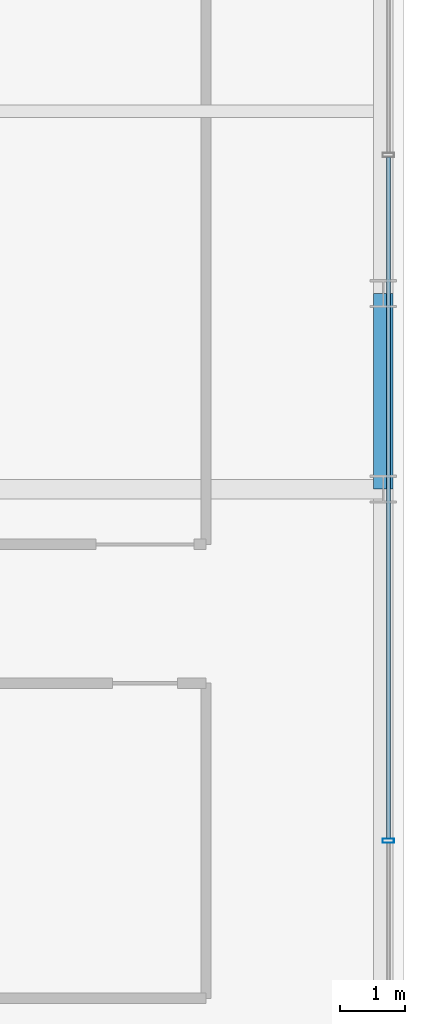
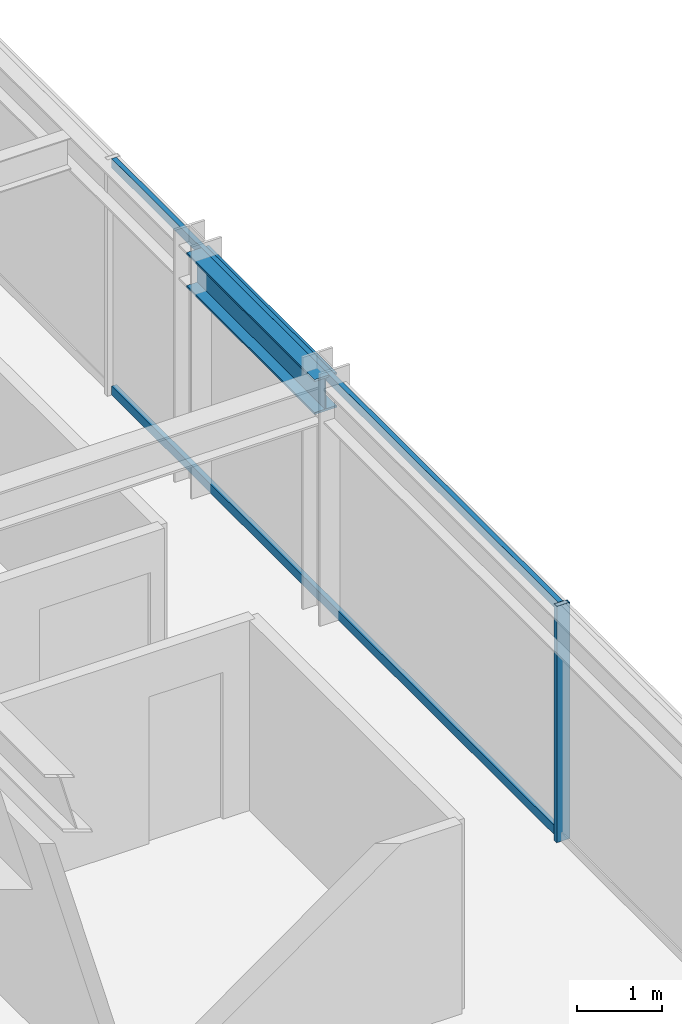
# One storey, part 15 of 35: 3 members, 1 beam, 1 element without a shape of its own.
"""IFC4 building model written with IfcOpenShell, lengths in metres."""

import ifcopenshell
import ifcopenshell.guid

model = None  # the IFC model being written
_history = None  # IfcOwnerHistory: only IFC2X3 demands one
_inside = {}  # id of a spatial element -> (the spatial element, [elements in it])
_under = {}  # id of a project, library or spatial element -> (it, [spatial elements below it])
_declared = {}  # id of a project -> (the project, [libraries it declares])
_typed = {}  # id of a type object -> (the type object, [elements of that type])
_made_of = {}  # id of a material, layer set ... -> (it, [elements and type objects made of it])


def new_model(schema):
    """Start an empty IFC model of exactly this schema.

    Asked for "IFC4X3", IfcOpenShell would pick the latest addendum, in which some entities
    have other attributes; the version numbers below select the first issue.
    IFC2X3 requires an IfcOwnerHistory on every rooted entity: one is made here for all.
    """
    global model, _history
    if schema == "IFC4X3":
        model = ifcopenshell.file(schema_version=(4, 3, 0, 0))
    else:
        model = ifcopenshell.file(schema=schema)
    _inside.clear()
    _under.clear()
    _declared.clear()
    _typed.clear()
    _made_of.clear()
    _history = None
    if model.schema == "IFC2X3":
        org = make("IfcOrganization", Name="unknown")
        user = make(
            "IfcPersonAndOrganization",
            ThePerson=make("IfcPerson", FamilyName="unknown"),
            TheOrganization=org,
        )
        app = make(
            "IfcApplication",
            ApplicationDeveloper=org,
            Version="unknown",
            ApplicationFullName="unknown",
            ApplicationIdentifier="unknown",
        )
        _history = make(
            "IfcOwnerHistory",
            OwningUser=user,
            OwningApplication=app,
            ChangeAction="ADDED",
            CreationDate=0,
        )
    return model


def make(cls, **values):
    """One entity of the class cls with the attributes given. An attribute that is None is left unset."""
    return model.create_entity(
        cls, **{name: value for name, value in values.items() if value is not None}
    )


def rooted(cls, **values):
    """An entity with a GlobalId (a new one), such as an element, a storey or a relation."""
    return make(cls, GlobalId=ifcopenshell.guid.new(), OwnerHistory=_history, **values)


def si_unit(unit_type, name, prefix=None):
    """IfcSIUnit, for example si_unit("LENGTHUNIT", "METRE", prefix="MILLI")."""
    return make("IfcSIUnit", UnitType=unit_type, Prefix=prefix, Name=name)


def assignment(units):
    """IfcUnitAssignment: the units of a project."""
    return None if units is None else make("IfcUnitAssignment", Units=units)


def point(xyz):
    """IfcCartesianPoint."""
    return None if xyz is None else make("IfcCartesianPoint", Coordinates=xyz)


def direction(xyz):
    """IfcDirection."""
    return None if xyz is None else make("IfcDirection", DirectionRatios=xyz)


def frame(location, z_axis=None, x_axis=None):
    """IfcAxis2Placement3D, a coordinate frame: its origin and axes. An axis left out is left unset."""
    return make(
        "IfcAxis2Placement3D",
        Location=point(location),
        Axis=direction(z_axis),
        RefDirection=direction(x_axis),
    )


def frame_2d(location, x_axis=None):
    """IfcAxis2Placement2D, a coordinate frame in the plane: its origin and x axis."""
    return make(
        "IfcAxis2Placement2D", Location=point(location), RefDirection=direction(x_axis)
    )


def origin():
    """The frame at (0, 0, 0) with its axes left unset."""
    return frame((0.0, 0.0, 0.0))


def origin_2d():
    """The frame at (0, 0) in the plane with its x axis left unset."""
    return frame_2d((0.0, 0.0))


def place(relative_to, where):
    """IfcLocalPlacement: puts the frame where relative to a parent placement (None: the world)."""
    return make(
        "IfcLocalPlacement", PlacementRelTo=relative_to, RelativePlacement=where
    )


def context(
    kind, dimensions, precision=None, world=None, true_north=None, identifier=None
):
    """IfcGeometricRepresentationContext, for example the 3D "Model" context."""
    return make(
        "IfcGeometricRepresentationContext",
        ContextIdentifier=identifier,
        ContextType=kind,
        CoordinateSpaceDimension=dimensions,
        Precision=precision,
        WorldCoordinateSystem=world,
        TrueNorth=true_north,
    )


def subcontext(parent, identifier, kind, view, scale=None):
    """IfcGeometricRepresentationSubContext, for example "Body" below "Model"."""
    return make(
        "IfcGeometricRepresentationSubContext",
        ContextIdentifier=identifier,
        ContextType=kind,
        ParentContext=parent,
        TargetScale=scale,
        TargetView=view,
    )


def project(units=None, contexts=None):
    """IfcProject with its units and contexts."""
    return rooted(
        "IfcProject",
        Name="project",
        RepresentationContexts=contexts,
        UnitsInContext=assignment(units),
    )


def spatial(cls, under=None, at=None, **own):
    """A site, building, storey or space (cls), placed at a placement, below another one or the project."""
    s = rooted(cls, ObjectPlacement=at, **own)
    if under is not None:
        _under.setdefault(under.id(), (under, []))[1].append(s)
    return s


def profile(cls, at=None, kind="AREA", **sizes):
    """A parametric profile (cls). Its sizes go by their IFC names, for example OverallWidth=200.0."""
    return make(cls, ProfileType=kind, Position=at, **sizes)


def hollow_rectangle(**sizes):
    """IfcRectangleHollowProfileDef."""
    return profile("IfcRectangleHollowProfileDef", **sizes)


def i_section(**sizes):
    """IfcIShapeProfileDef."""
    return profile("IfcIShapeProfileDef", **sizes)


def extrude(swept, where, along, depth):
    """IfcExtrudedAreaSolid: the profile swept, set in the frame where, extruded along a direction by depth."""
    return make(
        "IfcExtrudedAreaSolid",
        SweptArea=swept,
        Position=where,
        ExtrudedDirection=direction(along),
        Depth=depth,
    )


def shape(context_of_items, identifier, shape_type, items):
    """IfcShapeRepresentation: the items that make up one representation, for example the "Body"."""
    return make(
        "IfcShapeRepresentation",
        ContextOfItems=context_of_items,
        RepresentationIdentifier=identifier,
        RepresentationType=shape_type,
        Items=items,
    )


def source(mapping_origin, context_of_items, identifier, shape_type, items):
    """IfcRepresentationMap: a shape defined once, which mapped items show again and again."""
    return make(
        "IfcRepresentationMap",
        MappingOrigin=mapping_origin,
        MappedRepresentation=shape(context_of_items, identifier, shape_type, items),
    )


def transform(
    local_origin,
    x_axis=None,
    y_axis=None,
    z_axis=None,
    scale=None,
    scale2=None,
    scale3=None,
    uniform=True,
):
    """IfcCartesianTransformationOperator3D, or its non-uniform kind. x_axis, y_axis, z_axis: its Axis1, 2, 3."""
    if uniform:
        return make(
            "IfcCartesianTransformationOperator3D",
            Axis1=direction(x_axis),
            Axis2=direction(y_axis),
            LocalOrigin=point(local_origin),
            Scale=scale,
            Axis3=direction(z_axis),
        )
    return make(
        "IfcCartesianTransformationOperator3DnonUniform",
        Axis1=direction(x_axis),
        Axis2=direction(y_axis),
        LocalOrigin=point(local_origin),
        Scale=scale,
        Axis3=direction(z_axis),
        Scale2=scale2,
        Scale3=scale3,
    )


def mapped(mapping_source, mapping_target):
    """IfcMappedItem: shows the shape of a source again, moved by a transform."""
    return make(
        "IfcMappedItem", MappingSource=mapping_source, MappingTarget=mapping_target
    )


def material(Name=None, Category=None):
    """IfcMaterial."""
    return make("IfcMaterial", Name=Name, Category=Category)


def material_profile(
    of_material, cross_section, Name=None, Category=None, Priority=None
):
    """IfcMaterialProfile: a cross section and its material."""
    return make(
        "IfcMaterialProfile",
        Name=Name,
        Material=of_material,
        Profile=cross_section,
        Priority=Priority,
        Category=Category,
    )


def profile_set(profiles, Name=None, composite=None):
    """IfcMaterialProfileSet."""
    return make(
        "IfcMaterialProfileSet",
        Name=Name,
        MaterialProfiles=profiles,
        CompositeProfile=composite,
    )


def made_of(thing, what):
    """Note that an element or type object is made of a material, layer set ...; save() writes the relation."""
    if what is not None:
        _made_of.setdefault(what.id(), (what, []))[1].append(thing)
    return thing


def type_object(cls, material=None, **own):
    """A type object (cls), such as IfcWallType, which elements share."""
    return made_of(rooted(cls, **own), material)


def element(
    cls,
    number,
    at=None,
    inside=None,
    cuts=None,
    type_object=None,
    material=None,
    context=None,
    identifier="Body",
    shape_type=None,
    held_by="IfcProductDefinitionShape",
    body=None,
    shapes=None,
    **own,
):
    """One element of the class cls, such as IfcWall. Its Tag is "e" and its number.

    at: its placement. inside: the storey or other place that contains it. cuts: it is an
    opening in that element (IfcRelVoidsElement). A single representation is given by context,
    identifier, shape_type and body (its items); several are given by shapes. held_by: the class
    of the entity that holds the representations. save() writes the other relations.
    """
    e = rooted(cls, Tag="e%d" % number, ObjectPlacement=at, **own)
    if body is not None:
        shapes = [shape(context, identifier, shape_type, body)]
    if shapes is not None:
        e.Representation = make(held_by, Representations=shapes)
    if inside is not None:
        _inside.setdefault(inside.id(), (inside, []))[1].append(e)
    if cuts is not None:
        rooted(
            "IfcRelVoidsElement", RelatingBuildingElement=cuts, RelatedOpeningElement=e
        )
    if type_object is not None:
        _typed.setdefault(type_object.id(), (type_object, []))[1].append(e)
    return made_of(e, material)


def aggregate(whole, parts):
    """IfcRelAggregates: a whole, such as a stair, and the parts it consists of."""
    return rooted("IfcRelAggregates", RelatingObject=whole, RelatedObjects=parts)


def save(model, path):
    """Write the relations noted so far, then the file.

    IfcRelAggregates (storeys below a building ...), IfcRelContainedInSpatialStructure (elements
    in a storey), IfcRelDefinesByType, IfcRelAssociatesMaterial and IfcRelDeclares: one each for
    every whole, place, type object, material and project.
    """
    for whole, parts in _under.values():
        aggregate(whole, parts)
    for where, things in _inside.values():
        rooted(
            "IfcRelContainedInSpatialStructure",
            RelatedElements=things,
            RelatingStructure=where,
        )
    for kind, things in _typed.values():
        rooted("IfcRelDefinesByType", RelatedObjects=things, RelatingType=kind)
    for what, things in _made_of.values():
        rooted("IfcRelAssociatesMaterial", RelatedObjects=things, RelatingMaterial=what)
    for by, libraries in _declared.values():
        rooted("IfcRelDeclares", RelatingContext=by, RelatedDefinitions=libraries)
    model.write(path)


model = new_model("IFC4")

# Units and contexts
model_context = context("Model", 3, precision=1e-05, world=origin(), true_north=direction((0.0, 1.0)))
body_context = subcontext(model_context, "Body", "Model", "MODEL_VIEW")
ifc_project = project(units=[si_unit("LENGTHUNIT", "METRE"), si_unit("AREAUNIT", "SQUARE_METRE"), si_unit("VOLUMEUNIT", "CUBIC_METRE"), si_unit("PLANEANGLEUNIT", "RADIAN"), si_unit("MASSUNIT", "GRAM", prefix="KILO")], contexts=[model_context])

# Site, building, storey
site_placement = place(None, origin())
site = spatial("IfcSite", under=ifc_project, at=site_placement, CompositionType="ELEMENT")
building_placement = place(site_placement, origin())
building = spatial("IfcBuilding", under=site, at=building_placement, Name="Nahalor Promenade Grand Hotel", CompositionType="ELEMENT")
storey_placement = place(building_placement, frame((0.0, 0.0, 106.550048828125)))
storey = spatial("IfcBuildingStorey", under=building, at=storey_placement, Name="L26", CompositionType="ELEMENT", Elevation=106.550048828125)

# Beam
ifc_material_1 = material(Name="Steel S355JR", Category="steel")
ifc_material_profile_1 = material_profile(ifc_material_1, i_section(OverallWidth=0.3, OverallDepth=0.5, WebThickness=0.0145, FlangeThickness=0.028, at=origin_2d()), Name="HEB 500")
ifc_profile_set_1 = profile_set([ifc_material_profile_1], Name="Steel S355JR")
beam_type = type_object("IfcBeamType", Name="Beam-Spandrel-HEB500", PredefinedType="SPANDREL", material=ifc_profile_set_1)
shared_shape_1 = source(origin(), body_context, "Body", "SweptSolid", [
    extrude(i_section(OverallWidth=0.3, OverallDepth=0.5, WebThickness=0.0145, FlangeThickness=0.028, at=origin_2d()), origin(), (0.0, 0.0, 1.0), 3.0),
])
beam_placement = place(storey_placement, frame((23.780029296875, 5.39990234375, 3.1298828125), z_axis=(0.0, 1.0, 0.0), x_axis=(-1.0, 0.0, 0.0)))
element("IfcBeam", 1, at=beam_placement, inside=storey, type_object=beam_type, Name="BM-L26-SP-E-3", PredefinedType="SPANDREL", context=body_context, shape_type="MappedRepresentation", body=[
    mapped(shared_shape_1, transform((0.0, 0.0, 0.0), scale=1.0)),
])

# Curtain wall, members
ifc_material_2 = material(Name="Anodised Bronze Aluminium EN AW-6063 T6", Category="aluminium")
curtain_wall_type = type_object("IfcCurtainWallType", Name="CW2 Typical Hotel Flush Bronze Unitised Curtain Wall", PredefinedType="USERDEFINED", material=ifc_material_2)
curtain_wall_placement = place(storey_placement, origin())
curtain_wall = element("IfcCurtainWall", 2, at=curtain_wall_placement, inside=storey, type_object=curtain_wall_type, Name="L26 Curtain Wall CW-L26-E-1", ObjectType="UNITISED_CURTAIN_WALL", PredefinedType="USERDEFINED")
ifc_material_profile_2 = material_profile(ifc_material_2, hollow_rectangle(XDim=0.065, YDim=0.18, WallThickness=0.004, at=origin_2d()), Name="CWM 65x180x4")
ifc_profile_set_2 = profile_set([ifc_material_profile_2], Name="Anodised Bronze Aluminium EN AW-6063 T6")
member_type_1 = type_object("IfcMemberType", Name="CWM2 Typical Bronze Mullion 65x180", PredefinedType="MULLION", material=ifc_profile_set_2)
shared_shape_2 = source(origin(), body_context, "Body", "SweptSolid", [
    extrude(hollow_rectangle(XDim=0.065, YDim=0.18, WallThickness=0.004, at=origin_2d()), origin(), (0.0, 0.0, 1.0), 3.3798828125),
])
member_1_placement = place(storey_placement, frame((23.860107421875, 0.0, 0.0), z_axis=(0.0, 0.0, 1.0), x_axis=(0.0, 1.0, 0.0)))
member_1 = element("IfcMember", 3, at=member_1_placement, type_object=member_type_1, Name="CW-L26-E-1 Mullion 2", PredefinedType="MULLION", context=body_context, shape_type="MappedRepresentation", body=[
    mapped(shared_shape_2, transform((0.0, 0.0, 0.0), scale=1.0)),
])
ifc_material_profile_3 = material_profile(ifc_material_2, hollow_rectangle(XDim=0.065, YDim=0.13, WallThickness=0.004, at=origin_2d()), Name="CWT 65x130x4")
ifc_profile_set_3 = profile_set([ifc_material_profile_3], Name="Anodised Bronze Aluminium EN AW-6063 T6")
member_type_2 = type_object("IfcMemberType", Name="CWT2 Typical Bronze Transom 65x130", PredefinedType="USERDEFINED", material=ifc_profile_set_3)
shared_shape_3 = source(origin(), body_context, "Body", "SweptSolid", [
    extrude(hollow_rectangle(XDim=0.065, YDim=0.13, WallThickness=0.004, at=origin_2d()), origin(), (0.0, 0.0, 1.0), 10.465087890625),
])
member_2_placement = place(storey_placement, frame((23.860107421875, 0.032470703125, 0.06494140625), z_axis=(0.0, 1.0, 0.0), x_axis=(-1.0, 0.0, 0.0)))
member_2 = element("IfcMember", 4, at=member_2_placement, type_object=member_type_2, Name="CW-L26-E-1 Transom 2-0", ObjectType="TRANSOM", PredefinedType="USERDEFINED", context=body_context, shape_type="MappedRepresentation", body=[
    mapped(shared_shape_3, transform((0.0, 0.0, 0.0), scale=1.0)),
])
member_3_placement = place(storey_placement, frame((23.860107421875, 0.032470703125, 3.31494140625), z_axis=(0.0, 1.0, 0.0), x_axis=(-1.0, 0.0, 0.0)))
member_3 = element("IfcMember", 5, at=member_3_placement, type_object=member_type_2, Name="CW-L26-E-1 Transom 2-1", ObjectType="TRANSOM", PredefinedType="USERDEFINED", context=body_context, shape_type="MappedRepresentation", body=[
    mapped(shared_shape_3, transform((0.0, 0.0, 0.0), scale=1.0)),
])
aggregate(curtain_wall, [member_1, member_2, member_3])

save(model, "model.ifc")
